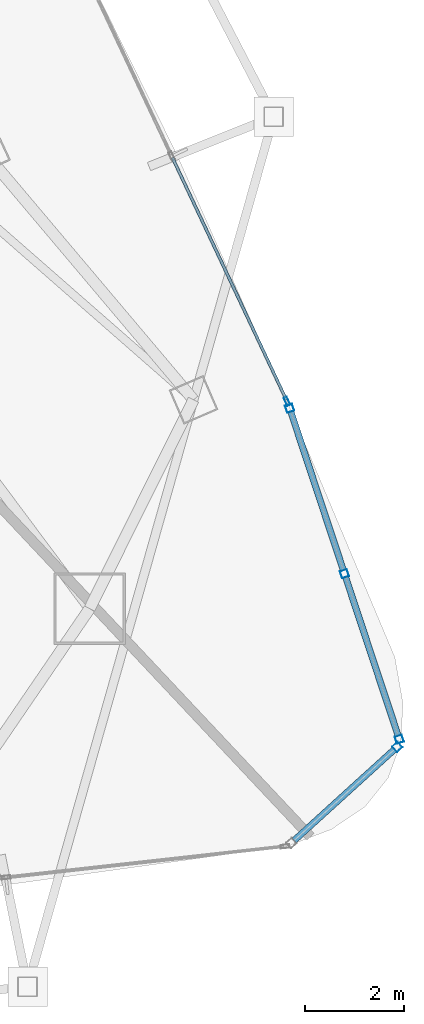
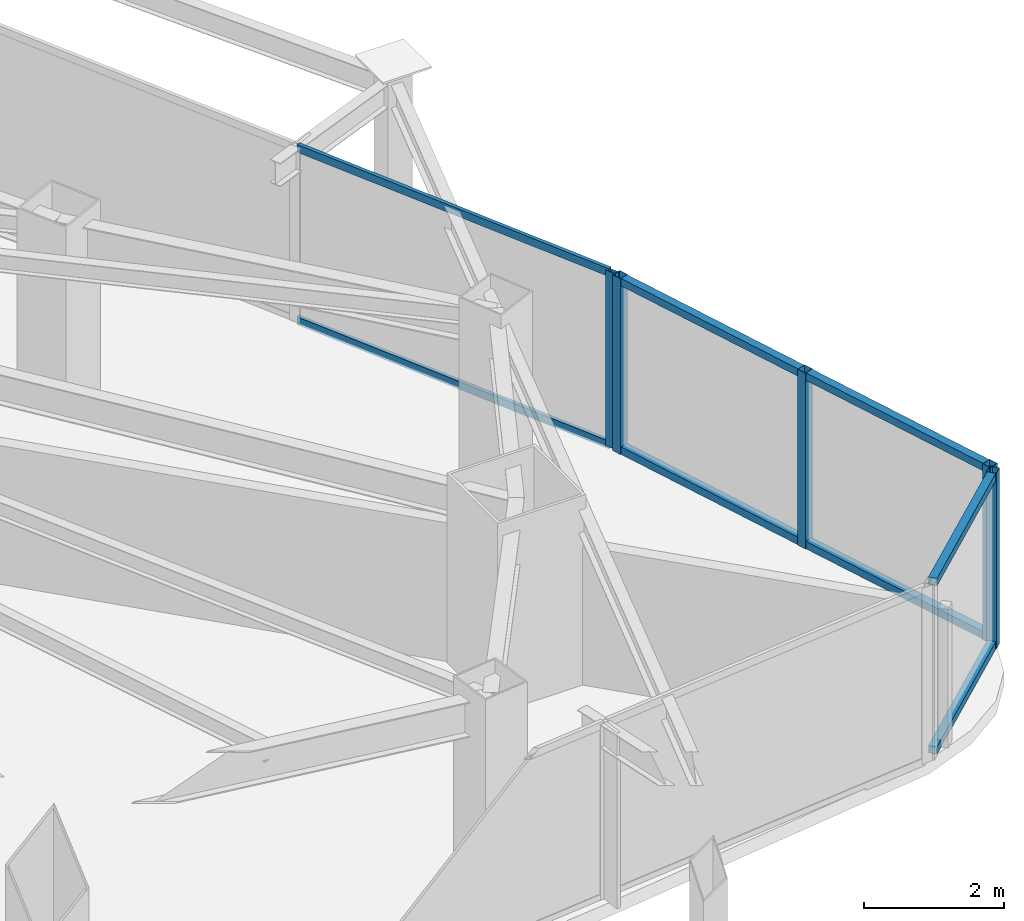
# One storey, part 16 of 31: 13 members, 3 elements without a shape of their own.
"""IFC4 building model written with IfcOpenShell, lengths in metres."""

from ifc_helpers import new_model, si_unit, direction, frame, origin, origin_2d, place, context, subcontext, project, spatial, hollow_rectangle, extrude, material, layer, layer_set, material_profile, profile_set, type_object, element, aggregate, save


model = new_model("IFC4")

# Units and contexts
model_context = context("Model", 3, precision=1e-05, world=origin(), true_north=direction((0.0, 1.0)))
body_context = subcontext(model_context, "Body", "Model", "MODEL_VIEW")
ifc_project = project(units=[si_unit("LENGTHUNIT", "METRE"), si_unit("AREAUNIT", "SQUARE_METRE"), si_unit("VOLUMEUNIT", "CUBIC_METRE"), si_unit("PLANEANGLEUNIT", "RADIAN"), si_unit("MASSUNIT", "GRAM", prefix="KILO")], contexts=[model_context])

# Site, building, storey
site_placement = place(None, origin())
site = spatial("IfcSite", under=ifc_project, at=site_placement, CompositionType="ELEMENT")
building_placement = place(site_placement, origin())
building = spatial("IfcBuilding", under=site, at=building_placement, Name="Orvanel Arch Residences", CompositionType="ELEMENT")
storey_placement = place(building_placement, frame((0.0, 0.0, 157.25)))
storey = spatial("IfcBuildingStorey", under=building, at=storey_placement, Name="L44", CompositionType="ELEMENT", Elevation=157.25)

# Curtain wall, member
ifc_material = material(Name="Bronze-anodised aluminium AA6063-T6", Category="aluminium")
ifc_layer_1 = layer(ifc_material, 0.18994140625)
ifc_layer_set_1 = layer_set([ifc_layer_1], Name="Bronze-anodised aluminium AA6063-T6")
curtain_wall_type_1 = type_object("IfcCurtainWallType", Name="CW5-CRN-SYS", PredefinedType="NOTDEFINED", material=ifc_layer_set_1)
curtain_wall_1_placement = place(storey_placement, origin())
curtain_wall_1 = element("IfcCurtainWall", 1, at=curtain_wall_1_placement, inside=storey, type_object=curtain_wall_type_1, Name="L44 CW5-CRN-SYS Unitised Curtain Wall", PredefinedType="NOTDEFINED")
ifc_material_profile_1 = material_profile(ifc_material, hollow_rectangle(XDim=0.14990234375, YDim=0.14990234375, WallThickness=0.0048828125, at=origin_2d()), Name="ALU150x150x5")
ifc_profile_set_1 = profile_set([ifc_material_profile_1], Name="Bronze-anodised aluminium AA6063-T6")
member_type_1 = type_object("IfcMemberType", Name="MUL-150x150", PredefinedType="MULLION", material=ifc_profile_set_1)
member_1_placement = place(storey_placement, frame((58.032470703125, 7.552490234375, 0.0), z_axis=(0.0, 0.0, 1.0), x_axis=(-0.672329748621, 0.740251787651, 0.0)))
member_1 = element("IfcMember", 2, at=member_1_placement, type_object=member_type_1, Name="CW-S5 mullion 2", PredefinedType="MULLION", context=body_context, shape_type="SweptSolid", body=[
    extrude(hollow_rectangle(XDim=0.14990234375, YDim=0.14990234375, WallThickness=0.0048828125, at=origin_2d()), origin(), (0.0, 0.0, 1.0), 3.06005859375),
])

# Curtain wall, members
curtain_wall_2_placement = place(storey_placement, origin())
curtain_wall_2 = element("IfcCurtainWall", 3, at=curtain_wall_2_placement, inside=storey, type_object=curtain_wall_type_1, Name="L44 CW5-CRN-SYS Unitised Curtain Wall", PredefinedType="NOTDEFINED")
member_2_placement = place(storey_placement, frame((58.073486328125, 7.706298828125, 0.0), z_axis=(0.0, 0.0, 1.0), x_axis=(-0.949264059882, -0.314480118, 0.0)))
member_2 = element("IfcMember", 4, at=member_2_placement, type_object=member_type_1, Name="CW-S5 mullion 1", PredefinedType="MULLION", context=body_context, shape_type="SweptSolid", body=[
    extrude(hollow_rectangle(XDim=0.14990234375, YDim=0.14990234375, WallThickness=0.0048828125, at=origin_2d()), origin(), (0.0, 0.0, 1.0), 3.06005859375),
])
member_3_placement = place(storey_placement, frame((56.962890625, 11.05810546875, 0.0), z_axis=(0.0, 0.0, 1.0), x_axis=(-0.949264059882, -0.314480118, 0.0)))
member_3 = element("IfcMember", 5, at=member_3_placement, type_object=member_type_1, Name="CW-S5 mullion 2", PredefinedType="MULLION", context=body_context, shape_type="SweptSolid", body=[
    extrude(hollow_rectangle(XDim=0.14990234375, YDim=0.14990234375, WallThickness=0.0048828125, at=origin_2d()), origin(), (0.0, 0.0, 1.0), 3.06005859375),
])
member_4_placement = place(storey_placement, frame((55.8525390625, 14.409912109375, 0.0), z_axis=(0.0, 0.0, 1.0), x_axis=(-0.949264059882, -0.314480118, 0.0)))
member_4 = element("IfcMember", 6, at=member_4_placement, type_object=member_type_1, Name="CW-S5 mullion 3", PredefinedType="MULLION", context=body_context, shape_type="SweptSolid", body=[
    extrude(hollow_rectangle(XDim=0.14990234375, YDim=0.14990234375, WallThickness=0.0048828125, at=origin_2d()), origin(), (0.0, 0.0, 1.0), 3.06005859375),
])

# Curtain wall, member
ifc_layer_2 = layer(ifc_material, 0.179931640625)
ifc_layer_set_2 = layer_set([ifc_layer_2], Name="Bronze-anodised aluminium AA6063-T6")
curtain_wall_type_2 = type_object("IfcCurtainWallType", Name="CW3-MID-SYS", PredefinedType="NOTDEFINED", material=ifc_layer_set_2)
curtain_wall_3_placement = place(storey_placement, origin())
curtain_wall_3 = element("IfcCurtainWall", 7, at=curtain_wall_3_placement, inside=storey, type_object=curtain_wall_type_2, Name="L44 CW3-MID-SYS Unitised Curtain Wall", PredefinedType="NOTDEFINED")
ifc_material_profile_2 = material_profile(ifc_material, hollow_rectangle(XDim=0.070068359375, YDim=0.179931640625, WallThickness=0.00439453125, at=origin_2d()), Name="ALU180x70x4.5")
ifc_profile_set_2 = profile_set([ifc_material_profile_2], Name="Bronze-anodised aluminium AA6063-T6")
member_type_2 = type_object("IfcMemberType", Name="MUL-180x70", PredefinedType="MULLION", material=ifc_profile_set_2)
member_5_placement = place(storey_placement, frame((55.799072265625, 14.549560546875, 0.0), z_axis=(0.0, 0.0, 1.0), x_axis=(-0.90490897961, -0.425605144026, 0.0)))
member_5 = element("IfcMember", 8, at=member_5_placement, type_object=member_type_2, Name="CW-S3 mullion 1", PredefinedType="MULLION", context=body_context, shape_type="SweptSolid", body=[
    extrude(hollow_rectangle(XDim=0.070068359375, YDim=0.179931640625, WallThickness=0.00439453125, at=origin_2d()), origin(), (0.0, 0.0, 1.0), 3.06005859375),
])

# Member
ifc_material_profile_3 = material_profile(ifc_material, hollow_rectangle(XDim=0.1298828125, YDim=0.1298828125, WallThickness=0.00439453125, at=origin_2d()), Name="ALU130x130x4.5")
ifc_profile_set_3 = profile_set([ifc_material_profile_3], Name="Bronze-anodised aluminium AA6063-T6")
member_type_3 = type_object("IfcMemberType", Name="TRN-130x130", PredefinedType="USERDEFINED", material=ifc_profile_set_3)
member_6_placement = place(storey_placement, frame((55.943115234375, 5.65478515625, 0.06494140625), z_axis=(0.740233498965, 0.672349884368, 0.0), x_axis=(-0.672349884368, 0.740233498965, 0.0)))
member_6 = element("IfcMember", 9, at=member_6_placement, type_object=member_type_3, Name="CW-S5 transom 1.1", ObjectType="TRANSOM", PredefinedType="USERDEFINED", context=body_context, shape_type="SweptSolid", body=[
    extrude(hollow_rectangle(XDim=0.1298828125, YDim=0.1298828125, WallThickness=0.00439453125, at=origin_2d()), origin(), (0.0, 0.0, 1.0), 2.747802734375),
])

member_7_placement = place(storey_placement, frame((55.943115234375, 5.65478515625, 2.9951171875), z_axis=(0.740233498965, 0.672349884368, 0.0), x_axis=(-0.672349884368, 0.740233498965, 0.0)))
member_7 = element("IfcMember", 10, at=member_7_placement, type_object=member_type_3, Name="CW-S5 transom 1.2", ObjectType="TRANSOM", PredefinedType="USERDEFINED", context=body_context, shape_type="SweptSolid", body=[
    extrude(hollow_rectangle(XDim=0.1298828125, YDim=0.1298828125, WallThickness=0.00439453125, at=origin_2d()), origin(), (0.0, 0.0, 1.0), 2.747802734375),
])

aggregate(curtain_wall_1, [member_1, member_6, member_7])

member_8_placement = place(storey_placement, frame((58.0498046875, 7.77734375, 0.06494140625), z_axis=(-0.314472533354, 0.949266572553, 0.0), x_axis=(-0.949266572553, -0.314472533354, 0.0)))
member_8 = element("IfcMember", 11, at=member_8_placement, type_object=member_type_3, Name="CW-S5 transom 1.1", ObjectType="TRANSOM", PredefinedType="USERDEFINED", context=body_context, shape_type="SweptSolid", body=[
    extrude(hollow_rectangle(XDim=0.1298828125, YDim=0.1298828125, WallThickness=0.00439453125, at=origin_2d()), origin(), (0.0, 0.0, 1.0), 3.381103515625),
])

member_9_placement = place(storey_placement, frame((58.0498046875, 7.77734375, 2.9951171875), z_axis=(-0.314472533354, 0.949266572553, 0.0), x_axis=(-0.949266572553, -0.314472533354, 0.0)))
member_9 = element("IfcMember", 12, at=member_9_placement, type_object=member_type_3, Name="CW-S5 transom 1.2", ObjectType="TRANSOM", PredefinedType="USERDEFINED", context=body_context, shape_type="SweptSolid", body=[
    extrude(hollow_rectangle(XDim=0.1298828125, YDim=0.1298828125, WallThickness=0.00439453125, at=origin_2d()), origin(), (0.0, 0.0, 1.0), 3.381103515625),
])

member_10_placement = place(storey_placement, frame((56.939453125, 11.129150390625, 0.06494140625), z_axis=(-0.314472533354, 0.949266572553, 0.0), x_axis=(-0.949266572553, -0.314472533354, 0.0)))
member_10 = element("IfcMember", 13, at=member_10_placement, type_object=member_type_3, Name="CW-S5 transom 2.1", ObjectType="TRANSOM", PredefinedType="USERDEFINED", context=body_context, shape_type="SweptSolid", body=[
    extrude(hollow_rectangle(XDim=0.1298828125, YDim=0.1298828125, WallThickness=0.00439453125, at=origin_2d()), origin(), (0.0, 0.0, 1.0), 3.381103515625),
])

member_11_placement = place(storey_placement, frame((56.939453125, 11.129150390625, 2.9951171875), z_axis=(-0.314472533354, 0.949266572553, 0.0), x_axis=(-0.949266572553, -0.314472533354, 0.0)))
member_11 = element("IfcMember", 14, at=member_11_placement, type_object=member_type_3, Name="CW-S5 transom 2.2", ObjectType="TRANSOM", PredefinedType="USERDEFINED", context=body_context, shape_type="SweptSolid", body=[
    extrude(hollow_rectangle(XDim=0.1298828125, YDim=0.1298828125, WallThickness=0.00439453125, at=origin_2d()), origin(), (0.0, 0.0, 1.0), 3.381103515625),
])

aggregate(curtain_wall_2, [member_2, member_3, member_4, member_8, member_9, member_10, member_11])

ifc_material_profile_4 = material_profile(ifc_material, hollow_rectangle(XDim=0.06005859375, YDim=0.135009765625, WallThickness=0.00390625, at=origin_2d()), Name="ALU135x60x4")
ifc_profile_set_4 = profile_set([ifc_material_profile_4], Name="Bronze-anodised aluminium AA6063-T6")
member_type_4 = type_object("IfcMemberType", Name="TRN-135x60", PredefinedType="USERDEFINED", material=ifc_profile_set_4)
member_12_placement = place(storey_placement, frame((55.7841796875, 14.581298828125, 0.030029296875), z_axis=(-0.425575618732, 0.90492286563, 0.0), x_axis=(-0.90492286563, -0.425575618732, 0.0)))
member_12 = element("IfcMember", 15, at=member_12_placement, type_object=member_type_4, Name="CW-S3 transom 1.1", ObjectType="TRANSOM", PredefinedType="USERDEFINED", context=body_context, shape_type="SweptSolid", body=[
    extrude(hollow_rectangle(XDim=0.06005859375, YDim=0.135009765625, WallThickness=0.00390625, at=origin_2d()), origin(), (0.0, 0.0, 1.0), 5.41650390625),
])

member_13_placement = place(storey_placement, frame((55.7841796875, 14.581298828125, 3.030029296875), z_axis=(-0.425575618732, 0.90492286563, 0.0), x_axis=(-0.90492286563, -0.425575618732, 0.0)))
member_13 = element("IfcMember", 16, at=member_13_placement, type_object=member_type_4, Name="CW-S3 transom 1.2", ObjectType="TRANSOM", PredefinedType="USERDEFINED", context=body_context, shape_type="SweptSolid", body=[
    extrude(hollow_rectangle(XDim=0.06005859375, YDim=0.135009765625, WallThickness=0.00390625, at=origin_2d()), origin(), (0.0, 0.0, 1.0), 5.41650390625),
])

aggregate(curtain_wall_3, [member_5, member_12, member_13])

save(model, "model.ifc")
